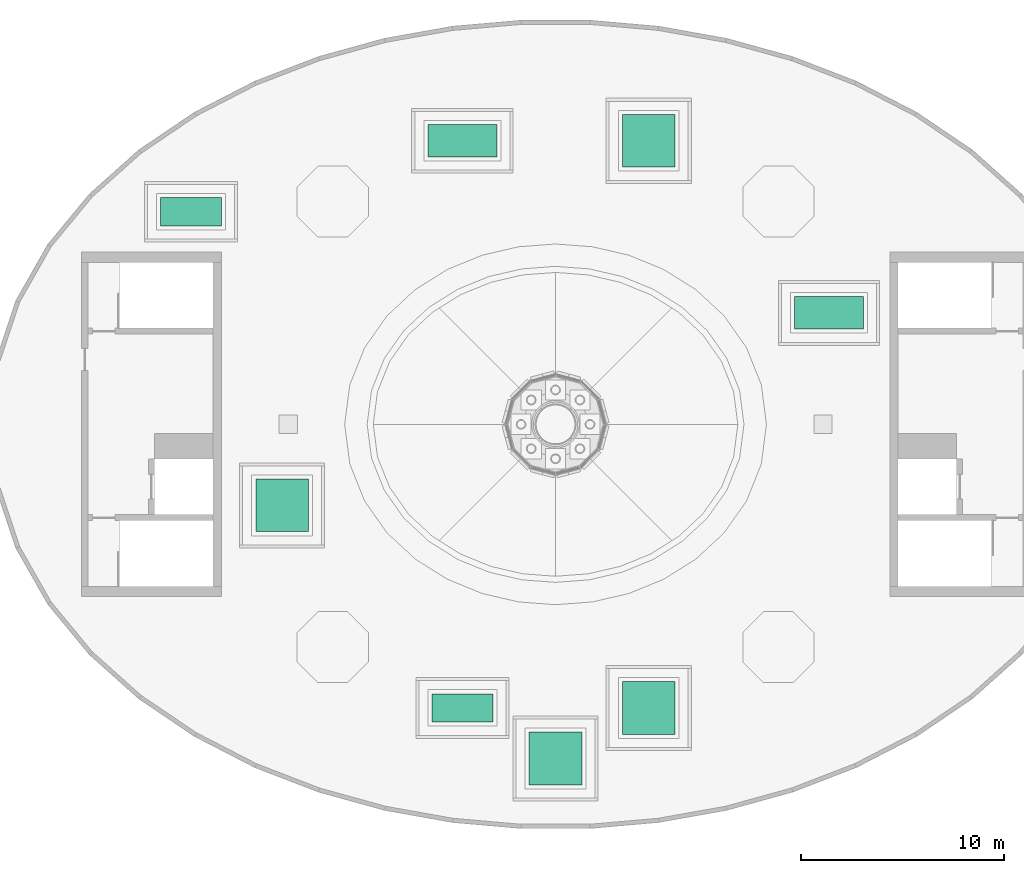
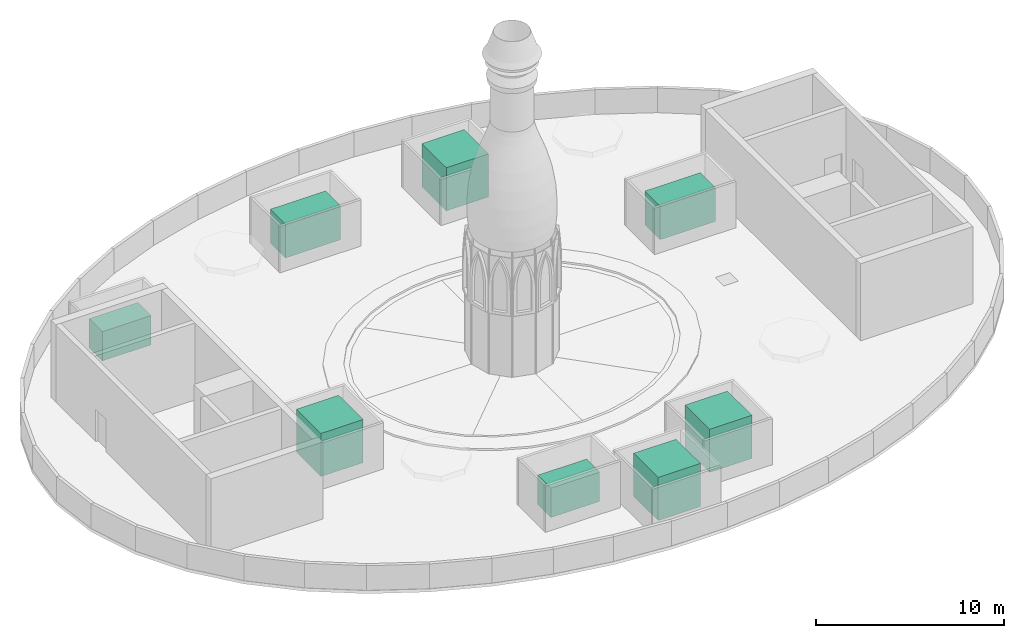
# One storey, part 7 of 7: 4 cooling towers, 2 chillers, 2 unitary equipment elements.
"""IFC4 building model written with IfcOpenShell, lengths in metres."""

from ifc_helpers import new_model, si_unit, direction, frame, origin, origin_2d, place, context, subcontext, project, spatial, rectangle, extrude, element, save


model = new_model("IFC4")

# Units and contexts
model_context = context("Model", 3, precision=1e-05, world=origin(), true_north=direction((0.0, 1.0)))
body_context = subcontext(model_context, "Body", "Model", "MODEL_VIEW")
ifc_project = project(units=[si_unit("LENGTHUNIT", "METRE"), si_unit("AREAUNIT", "SQUARE_METRE"), si_unit("VOLUMEUNIT", "CUBIC_METRE"), si_unit("PLANEANGLEUNIT", "RADIAN"), si_unit("MASSUNIT", "GRAM", prefix="KILO")], contexts=[model_context])

# Site, building, storey
site_placement = place(None, origin())
site = spatial("IfcSite", under=ifc_project, at=site_placement, CompositionType="ELEMENT")
building_placement = place(site_placement, origin())
building = spatial("IfcBuilding", under=site, at=building_placement, Name="Noorbagh Ring Tower", CompositionType="ELEMENT")
storey_placement = place(building_placement, frame((0.0, 0.0, 356.5)))
storey = spatial("IfcBuildingStorey", under=building, at=storey_placement, Name="L78", CompositionType="ELEMENT", Elevation=356.5)

# Chiller
chiller_1_placement = place(storey_placement, frame((13.5, 5.5, 0.2001953125), z_axis=(0.0, 0.0, 1.0), x_axis=(1.0, 0.0, 0.0)))
element("IfcChiller", 1, at=chiller_1_placement, inside=storey, Name="Chiller 1", PredefinedType="AIRCOOLED", context=body_context, shape_type="SweptSolid", body=[
    extrude(rectangle(XDim=3.39990234375, YDim=1.60009765625, at=origin_2d()), origin(), (0.0, 0.0, 1.0), 2.199951171875),
])

# Cooling tower
cooling_tower_1_placement = place(storey_placement, frame((-13.5, -4.0, 0.2001953125), z_axis=(0.0, 0.0, 1.0), x_axis=(1.0, 0.0, 0.0)))
element("IfcCoolingTower", 2, at=cooling_tower_1_placement, inside=storey, Name="Cooling tower 2", PredefinedType="MECHANICALFORCEDDRAFT", context=body_context, shape_type="SweptSolid", body=[
    extrude(rectangle(XDim=2.60009765625, YDim=2.60009765625, at=origin_2d()), origin(), (0.0, 0.0, 1.0), 2.800048828125),
])

# Unitary equipment
unitary_equipment_1_placement = place(storey_placement, frame((-18.0, 10.5, 0.199951171875), z_axis=(0.0, 0.0, 1.0), x_axis=(1.0, 0.0, 0.0)))
element("IfcUnitaryEquipment", 3, at=unitary_equipment_1_placement, inside=storey, Name="Air handling unit 3", PredefinedType="AIRHANDLER", context=body_context, shape_type="SweptSolid", body=[
    extrude(rectangle(XDim=3.0, YDim=1.39990234375, at=origin_2d()), origin(), (0.0, 0.0, 1.0), 1.89990234375),
])

# Cooling tower
cooling_tower_2_placement = place(storey_placement, frame((0.0, -16.5, 0.2001953125), z_axis=(0.0, 0.0, 1.0), x_axis=(1.0, 0.0, 0.0)))
element("IfcCoolingTower", 4, at=cooling_tower_2_placement, inside=storey, Name="Cooling tower 4", PredefinedType="MECHANICALFORCEDDRAFT", context=body_context, shape_type="SweptSolid", body=[
    extrude(rectangle(XDim=2.60009765625, YDim=2.60009765625, at=origin_2d()), origin(), (0.0, 0.0, 1.0), 2.800048828125),
])

# Chiller
chiller_2_placement = place(storey_placement, frame((-4.60009765625, 14.0, 0.2001953125), z_axis=(0.0, 0.0, 1.0), x_axis=(1.0, 0.0, 0.0)))
element("IfcChiller", 5, at=chiller_2_placement, inside=storey, Name="Chiller 5", PredefinedType="AIRCOOLED", context=body_context, shape_type="SweptSolid", body=[
    extrude(rectangle(XDim=3.39990234375, YDim=1.60009765625, at=origin_2d()), origin(), (0.0, 0.0, 1.0), 2.199951171875),
])

# Cooling tower
cooling_tower_3_placement = place(storey_placement, frame((4.60009765625, 14.0, 0.2001953125), z_axis=(0.0, 0.0, 1.0), x_axis=(1.0, 0.0, 0.0)))
element("IfcCoolingTower", 6, at=cooling_tower_3_placement, inside=storey, Name="Cooling tower 6", PredefinedType="MECHANICALFORCEDDRAFT", context=body_context, shape_type="SweptSolid", body=[
    extrude(rectangle(XDim=2.60009765625, YDim=2.60009765625, at=origin_2d()), origin(), (0.0, 0.0, 1.0), 2.800048828125),
])

# Unitary equipment
unitary_equipment_2_placement = place(storey_placement, frame((-4.60009765625, -14.0, 0.199951171875), z_axis=(0.0, 0.0, 1.0), x_axis=(1.0, 0.0, 0.0)))
element("IfcUnitaryEquipment", 7, at=unitary_equipment_2_placement, inside=storey, Name="Air handling unit 7", PredefinedType="AIRHANDLER", context=body_context, shape_type="SweptSolid", body=[
    extrude(rectangle(XDim=3.0, YDim=1.39990234375, at=origin_2d()), origin(), (0.0, 0.0, 1.0), 1.89990234375),
])

# Cooling tower
cooling_tower_4_placement = place(storey_placement, frame((4.60009765625, -14.0, 0.2001953125), z_axis=(0.0, 0.0, 1.0), x_axis=(1.0, 0.0, 0.0)))
element("IfcCoolingTower", 8, at=cooling_tower_4_placement, inside=storey, Name="Cooling tower 8", PredefinedType="MECHANICALFORCEDDRAFT", context=body_context, shape_type="SweptSolid", body=[
    extrude(rectangle(XDim=2.60009765625, YDim=2.60009765625, at=origin_2d()), origin(), (0.0, 0.0, 1.0), 2.800048828125),
])

save(model, "model.ifc")
